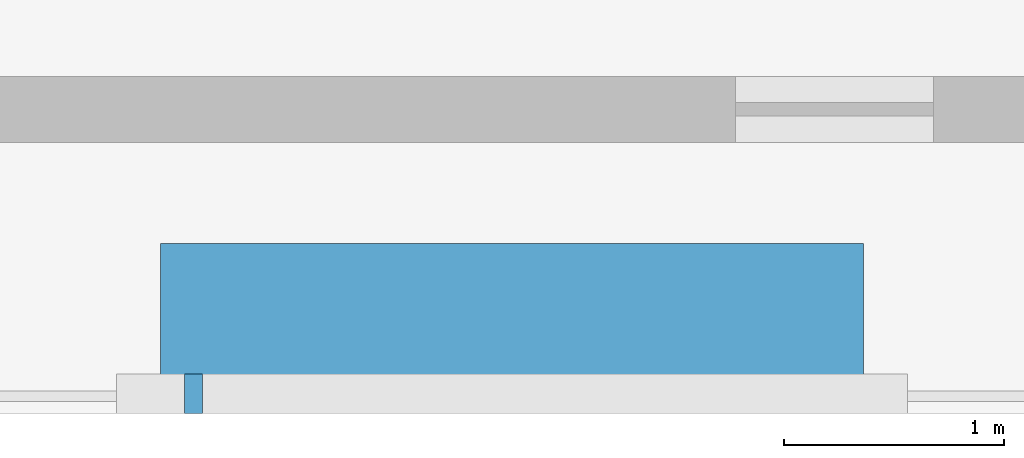
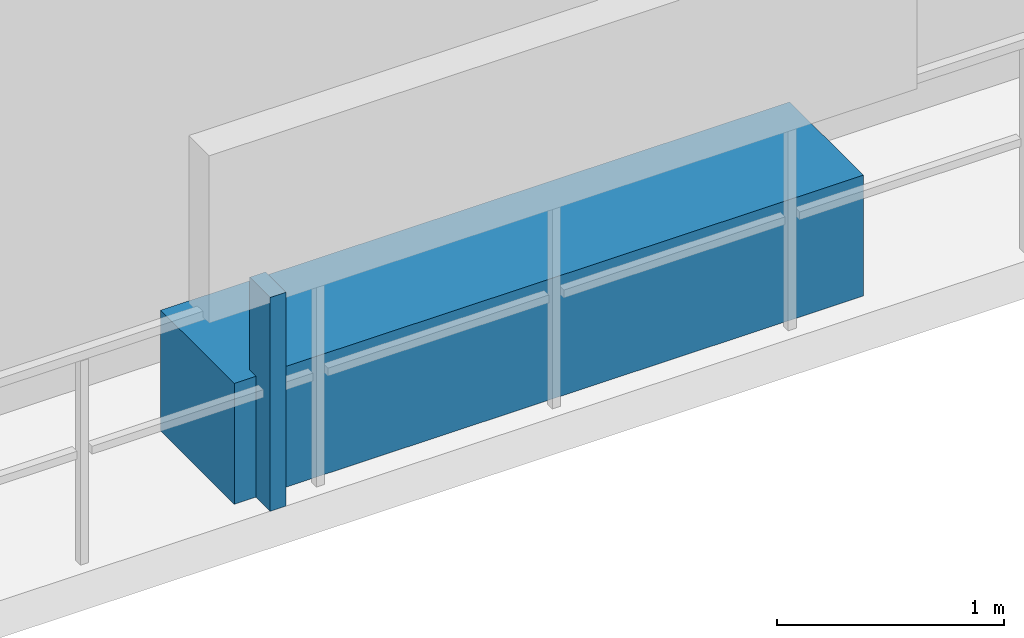
# One storey, part 30 of 35: 2 discrete accessories.
"""IFC4 building model written with IfcOpenShell, lengths in metres."""

from ifc_helpers import new_model, si_unit, direction, frame, origin, origin_2d, place, context, subcontext, project, spatial, rectangle, extrude, material, type_object, element, save


model = new_model("IFC4")

# Units and contexts
model_context = context("Model", 3, precision=1e-05, world=origin(), true_north=direction((0.0, 1.0)))
body_context = subcontext(model_context, "Body", "Model", "MODEL_VIEW")
ifc_project = project(units=[si_unit("LENGTHUNIT", "METRE"), si_unit("AREAUNIT", "SQUARE_METRE"), si_unit("VOLUMEUNIT", "CUBIC_METRE"), si_unit("PLANEANGLEUNIT", "RADIAN"), si_unit("MASSUNIT", "GRAM", prefix="KILO")], contexts=[model_context])

# Site, building, storey
site_placement = place(None, origin())
site = spatial("IfcSite", under=ifc_project, at=site_placement, CompositionType="ELEMENT")
building_placement = place(site_placement, origin())
building = spatial("IfcBuilding", under=site, at=building_placement, Name="Thornwick Lancets Civic Towers", CompositionType="ELEMENT")
storey_placement = place(building_placement, frame((0.0, 0.0, 276.300048828125)))
storey = spatial("IfcBuildingStorey", under=building, at=storey_placement, Name="L74", CompositionType="ELEMENT", Elevation=276.300048828125)

# Discrete accessories
ifc_material_1 = material(Name="Planted terracotta greenery planter", Category="masonry")
discrete_accessory_type_1 = type_object("IfcDiscreteAccessoryType", Name="ACC_PLANTER_BOX", PredefinedType="USERDEFINED", material=ifc_material_1)
discrete_accessory_1_placement = place(storey_placement, frame((25.5, 2.300048828125, 0.0), z_axis=(0.0, 0.0, 1.0), x_axis=(1.0, 0.0, 0.0)))
element("IfcDiscreteAccessory", 1, at=discrete_accessory_1_placement, inside=storey, type_object=discrete_accessory_type_1, Name="L74 Tower A Balcony Greenery Planter S", ObjectType="PLANTER", PredefinedType="USERDEFINED", context=body_context, shape_type="SweptSolid", body=[
    extrude(rectangle(XDim=3.199951171875, YDim=0.64990234375, at=origin_2d()), origin(), (0.0, 0.0, 1.0), 0.64990234375),
])
ifc_material_2 = material(Name="Stainless steel S355", Category="steel")
discrete_accessory_type_2 = type_object("IfcDiscreteAccessoryType", Name="ACC_SCREEN_BRACKET", PredefinedType="BRACKET", material=ifc_material_2)
discrete_accessory_2_placement = place(storey_placement, frame((24.050048828125, 1.93994140625, 0.0), z_axis=(0.0, 0.0, 1.0), x_axis=(1.0, 0.0, 0.0)))
element("IfcDiscreteAccessory", 2, at=discrete_accessory_2_placement, inside=storey, type_object=discrete_accessory_type_2, Name="L74 Tower A Balcony Screen Stanchion Bracket S-1", PredefinedType="BRACKET", context=body_context, shape_type="SweptSolid", body=[
    extrude(rectangle(XDim=0.080078125, YDim=0.179931640625, at=origin_2d()), origin(), (0.0, 0.0, 1.0), 1.14990234375),
])

save(model, "model.ifc")
